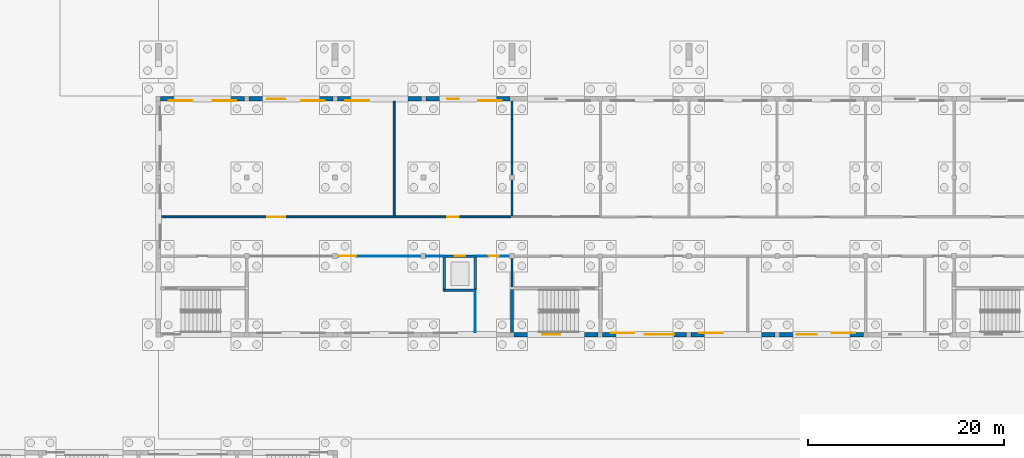
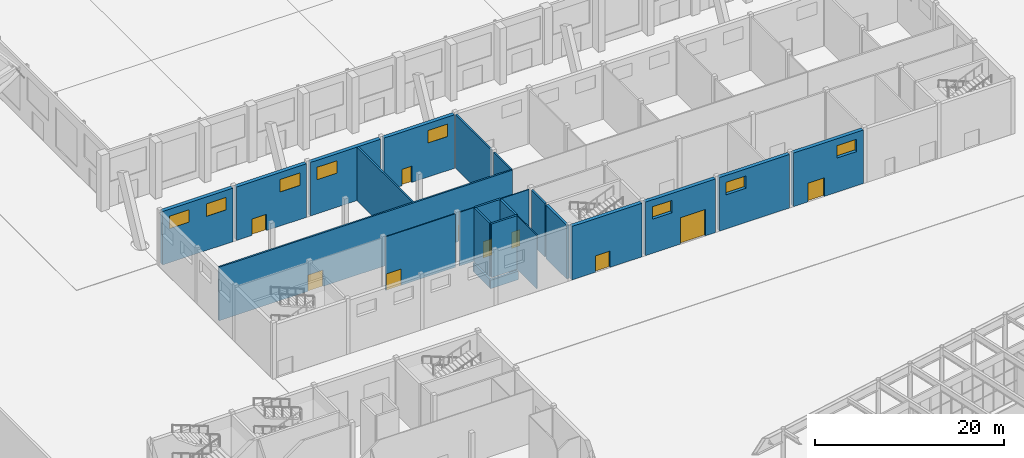
# One storey, part 169 of 239: 26 walls, 10 doors, 8 windows, 18 openings.
"""IFC4 building model written with IfcOpenShell, lengths in metres."""

from ifc_helpers import new_model, si_unit, direction, frame, frame_2d, origin, place, context, subcontext, project, spatial, rectangle, extrude, material, layer, layer_set, type_object, element, fill, save


model = new_model("IFC4")

# Units and contexts
model_context = context("Model", 3, precision=1e-05, world=origin(), true_north=direction((0.0, 1.0)))
body_context = subcontext(model_context, "Body", "Model", "MODEL_VIEW")
ifc_project = project(units=[si_unit("LENGTHUNIT", "METRE"), si_unit("AREAUNIT", "SQUARE_METRE"), si_unit("VOLUMEUNIT", "CUBIC_METRE"), si_unit("PLANEANGLEUNIT", "RADIAN"), si_unit("MASSUNIT", "GRAM", prefix="KILO")], contexts=[model_context])

# Site, building, storey
site_placement = place(None, origin())
site = spatial("IfcSite", under=ifc_project, at=site_placement, CompositionType="ELEMENT")
building_placement = place(site_placement, origin())
building = spatial("IfcBuilding", under=site, at=building_placement, Name="Okhra Congress Centre", CompositionType="ELEMENT")
storey_placement = place(building_placement, origin())
storey = spatial("IfcBuildingStorey", under=building, at=storey_placement, Name="L00", CompositionType="ELEMENT", Elevation=0.0)

# Wall, openings, doors
ifc_material_1 = material(Name="Masonry blockwork (aerated concrete D500)", Category="masonry")
ifc_layer_1 = layer(ifc_material_1, 0.199951171875)
ifc_layer_set_1 = layer_set([ifc_layer_1], Name="Masonry block wall 200 EI 45")
wall_type_1 = type_object("IfcWallType", Name="Masonry block wall 200 EI 45", PredefinedType="SOLIDWALL", material=ifc_layer_set_1)
wall_1_placement = place(storey_placement, frame((28.22509765625, 108.0, 0.0), z_axis=(0.0, 0.0, 1.0), x_axis=(1.0, 0.0, 0.0)))
wall_1 = element("IfcWall", 1, at=wall_1_placement, inside=storey, type_object=wall_type_1, Name="SV.WALL.L00.28", PredefinedType="SOLIDWALL", context=body_context, shape_type="SweptSolid", body=[
    extrude(rectangle(XDim=35.77490234375, YDim=0.199951171875, at=frame_2d((17.887451171875, 0.0))), origin(), (0.0, 0.0, 1.0), 6.89990234375),
])
opening_1_placement = place(wall_1_placement, frame((10.875, 0.0, 0.0)))
opening_1 = element("IfcOpeningElement", 2, at=opening_1_placement, cuts=wall_1, Name="Opening L00-150", PredefinedType="OPENING", context=body_context, shape_type="SweptSolid", body=[
    extrude(rectangle(XDim=1.800048828125, YDim=2.10009765625, at=frame_2d((0.89990234375, 1.050048828125))), frame((0.0, 0.10986328125, 0.0), z_axis=(0.0, -1.0, 0.0), x_axis=(1.0, 0.0, 0.0)), (0.0, 0.0, 1.0), 0.219970703125),
])
opening_2_placement = place(wall_1_placement, frame((29.175048828125, 0.0, 0.0)))
opening_2 = element("IfcOpeningElement", 3, at=opening_2_placement, cuts=wall_1, Name="Opening L00-151", PredefinedType="OPENING", context=body_context, shape_type="SweptSolid", body=[
    extrude(rectangle(XDim=1.199951171875, YDim=2.10009765625, at=frame_2d((0.60009765625, 1.050048828125))), frame((0.0, 0.10986328125, 0.0), z_axis=(0.0, -1.0, 0.0), x_axis=(1.0, 0.0, 0.0)), (0.0, 0.0, 1.0), 0.219970703125),
])
ifc_material_2 = material(Name="Steel fire door leaf in steel frame, intumescent seals", Category="steel")
door_type_1 = type_object("IfcDoorType", Name="Steel fire door 1200x2100 EI 30", OperationType="NOTDEFINED", PredefinedType="DOOR", material=ifc_material_2)
door_1_placement = place(opening_2_placement, frame((1.199951171875, 0.0, 0.0), z_axis=(0.0, 0.0, 1.0), x_axis=(-1.0, 0.0, 0.0)))
door_1 = element("IfcDoor", 4, at=door_1_placement, inside=storey, type_object=door_type_1, Name="Door L00-151", OperationType="SINGLE_SWING_RIGHT", OverallHeight=2.10009765625, OverallWidth=1.199951171875, PredefinedType="DOOR", context=body_context, shape_type="SweptSolid", body=[
    extrude(rectangle(XDim=1.199951171875, YDim=2.10009765625, at=frame_2d((0.60009765625, 1.050048828125))), frame((0.0, 0.02490234375, 0.0), z_axis=(0.0, -1.0, 0.0), x_axis=(1.0, 0.0, 0.0)), (0.0, 0.0, 1.0), 0.050048828125),
])
fill(opening_2, door_1)
ifc_material_3 = material(Name="Steel fire door leaves in steel frame, intumescent seals", Category="steel")
door_type_2 = type_object("IfcDoorType", Name="Steel fire door pair 1800x2100 EI 30", OperationType="NOTDEFINED", PredefinedType="DOOR", material=ifc_material_3)
door_2_placement = place(opening_1_placement, frame((1.800048828125, 0.0, 0.0), z_axis=(0.0, 0.0, 1.0), x_axis=(-1.0, 0.0, 0.0)))
door_2 = element("IfcDoor", 5, at=door_2_placement, inside=storey, type_object=door_type_2, Name="Door L00-150", OperationType="DOUBLE_DOOR_SINGLE_SWING", OverallHeight=2.10009765625, OverallWidth=1.800048828125, PredefinedType="DOOR", context=body_context, shape_type="SweptSolid", body=[
    extrude(rectangle(XDim=1.800048828125, YDim=2.10009765625, at=frame_2d((0.89990234375, 1.050048828125))), frame((0.0, 0.02490234375, 0.0), z_axis=(0.0, -1.0, 0.0), x_axis=(1.0, 0.0, 0.0)), (0.0, 0.0, 1.0), 0.050048828125),
])
fill(opening_1, door_2)

# Walls
wall_2_placement = place(storey_placement, frame((52.0, 108.10009765625, 0.0), z_axis=(0.0, 0.0, 1.0), x_axis=(0.0, 1.0, 0.0)))
element("IfcWall", 6, at=wall_2_placement, inside=storey, type_object=wall_type_1, Name="SV.WALL.L00.47", PredefinedType="SOLIDWALL", context=body_context, shape_type="SweptSolid", body=[
    extrude(rectangle(XDim=11.6748046875, YDim=0.199951171875, at=frame_2d((5.83740234375, 0.0))), origin(), (0.0, 0.0, 1.0), 6.89990234375),
])
wall_3_placement = place(storey_placement, frame((64.0, 100.875, 0.0), z_axis=(0.0, 0.0, 1.0), x_axis=(0.0, 1.0, 0.0)))
element("IfcWall", 7, at=wall_3_placement, inside=storey, type_object=wall_type_1, Name="SV.WALL.L00.52", PredefinedType="SOLIDWALL", context=body_context, shape_type="SweptSolid", body=[
    extrude(rectangle(XDim=2.875, YDim=0.199951171875, at=frame_2d((1.4375, 0.0))), origin(), (0.0, 0.0, 1.0), 6.89990234375),
])
wall_4_placement = place(storey_placement, frame((64.0, 108.10009765625, 0.0), z_axis=(0.0, 0.0, 1.0), x_axis=(0.0, 1.0, 0.0)))
element("IfcWall", 8, at=wall_4_placement, inside=storey, type_object=wall_type_1, Name="SV.WALL.L00.53", PredefinedType="SOLIDWALL", context=body_context, shape_type="SweptSolid", body=[
    extrude(rectangle(XDim=3.64990234375, YDim=0.199951171875, at=frame_2d((1.824951171875, 0.0))), origin(), (0.0, 0.0, 1.0), 6.89990234375),
])
wall_5_placement = place(storey_placement, frame((64.0, 112.25, 0.0), z_axis=(0.0, 0.0, 1.0), x_axis=(0.0, 1.0, 0.0)))
element("IfcWall", 9, at=wall_5_placement, inside=storey, type_object=wall_type_1, Name="SV.WALL.L00.54", PredefinedType="SOLIDWALL", context=body_context, shape_type="SweptSolid", body=[
    extrude(rectangle(XDim=7.52490234375, YDim=0.199951171875, at=frame_2d((3.762451171875, 0.0))), origin(), (0.0, 0.0, 1.0), 6.89990234375),
])

# Wall, opening, door
ifc_material_4 = material(Name="Gypsum board on steel studs", Category="steel")
ifc_layer_2 = layer(ifc_material_4, 0.10009765625)
ifc_layer_set_2 = layer_set([ifc_layer_2], Name="Partition 100 EI 15")
wall_type_2 = type_object("IfcWallType", Name="Partition 100 EI 15", PredefinedType="PARTITIONING", material=ifc_layer_set_2)
wall_6_placement = place(storey_placement, frame((46.25, 104.0, 0.0), z_axis=(0.0, 0.0, 1.0), x_axis=(1.0, 0.0, 0.0)))
wall_6 = element("IfcWall", 10, at=wall_6_placement, inside=storey, type_object=wall_type_2, Name="SV.WALL.L00.17", PredefinedType="PARTITIONING", context=body_context, shape_type="SweptSolid", body=[
    extrude(rectangle(XDim=8.5, YDim=0.10009765625, at=frame_2d((4.25, 0.0))), origin(), (0.0, 0.0, 1.0), 6.89990234375),
])
opening_3_placement = place(wall_6_placement, frame((0.112548828125, 0.0, 0.0)))
opening_3 = element("IfcOpeningElement", 11, at=opening_3_placement, cuts=wall_6, Name="Opening L00-144", PredefinedType="OPENING", context=body_context, shape_type="SweptSolid", body=[
    extrude(rectangle(XDim=1.800048828125, YDim=2.10009765625, at=frame_2d((0.89990234375, 1.050048828125))), frame((0.0, 0.06005859375, 0.0), z_axis=(0.0, -1.0, 0.0), x_axis=(1.0, 0.0, 0.0)), (0.0, 0.0, 1.0), 0.1201171875),
])
ifc_material_5 = material(Name="Timber door leaves in steel frame", Category="steel")
door_type_3 = type_object("IfcDoorType", Name="Double swing door 1800x2100", OperationType="NOTDEFINED", PredefinedType="DOOR", material=ifc_material_5)
door_3_placement = place(opening_3_placement, origin())
door_3 = element("IfcDoor", 12, at=door_3_placement, inside=storey, type_object=door_type_3, Name="Door L00-144", OperationType="DOUBLE_DOOR_SINGLE_SWING", OverallHeight=2.10009765625, OverallWidth=1.800048828125, PredefinedType="DOOR", context=body_context, shape_type="SweptSolid", body=[
    extrude(rectangle(XDim=1.800048828125, YDim=2.10009765625, at=frame_2d((0.89990234375, 1.050048828125))), frame((0.0, 0.02490234375, 0.0), z_axis=(0.0, -1.0, 0.0), x_axis=(1.0, 0.0, 0.0)), (0.0, 0.0, 1.0), 0.050048828125),
])
fill(opening_3, door_3)

# Wall
wall_7_placement = place(storey_placement, frame((55.25, 104.0, 0.0), z_axis=(0.0, 0.0, 1.0), x_axis=(1.0, 0.0, 0.0)))
element("IfcWall", 13, at=wall_7_placement, inside=storey, type_object=wall_type_2, Name="SV.WALL.L00.18", PredefinedType="PARTITIONING", context=body_context, shape_type="SweptSolid", body=[
    extrude(rectangle(XDim=1.875, YDim=0.10009765625, at=frame_2d((0.9375, 0.0))), origin(), (0.0, 0.0, 1.0), 6.89990234375),
])

# Wall, opening, door
wall_8_placement = place(storey_placement, frame((60.27490234375, 104.0, 0.0), z_axis=(0.0, 0.0, 1.0), x_axis=(1.0, 0.0, 0.0)))
wall_8 = element("IfcWall", 14, at=wall_8_placement, inside=storey, type_object=wall_type_2, Name="SV.WALL.L00.20", PredefinedType="PARTITIONING", context=body_context, shape_type="SweptSolid", body=[
    extrude(rectangle(XDim=3.47509765625, YDim=0.10009765625, at=frame_2d((1.737548828125, 0.0))), origin(), (0.0, 0.0, 1.0), 6.89990234375),
])
opening_4_placement = place(wall_8_placement, frame((1.362548828125, 0.0, 0.0)))
opening_4 = element("IfcOpeningElement", 15, at=opening_4_placement, cuts=wall_8, Name="Opening L00-145", PredefinedType="OPENING", context=body_context, shape_type="SweptSolid", body=[
    extrude(rectangle(XDim=1.0, YDim=2.10009765625, at=frame_2d((0.5, 1.050048828125))), frame((0.0, 0.06005859375, 0.0), z_axis=(0.0, -1.0, 0.0), x_axis=(1.0, 0.0, 0.0)), (0.0, 0.0, 1.0), 0.1201171875),
])
ifc_material_6 = material(Name="Timber door leaf in steel frame", Category="steel")
door_type_4 = type_object("IfcDoorType", Name="Single swing door 1000x2100", OperationType="NOTDEFINED", PredefinedType="DOOR", material=ifc_material_6)
door_4_placement = place(opening_4_placement, origin())
door_4 = element("IfcDoor", 16, at=door_4_placement, inside=storey, type_object=door_type_4, Name="Door L00-145", OperationType="SINGLE_SWING_LEFT", OverallHeight=2.10009765625, OverallWidth=1.0, PredefinedType="DOOR", context=body_context, shape_type="SweptSolid", body=[
    extrude(rectangle(XDim=1.0, YDim=2.10009765625, at=frame_2d((0.5, 1.050048828125))), frame((0.0, 0.02490234375, 0.0), z_axis=(0.0, -1.0, 0.0), x_axis=(1.0, 0.0, 0.0)), (0.0, 0.0, 1.0), 0.050048828125),
])
fill(opening_4, door_4)

# Walls
wall_9_placement = place(storey_placement, frame((60.27490234375, 96.22509765625, 0.0), z_axis=(0.0, 0.0, 1.0), x_axis=(0.0, 1.0, 0.0)))
element("IfcWall", 17, at=wall_9_placement, inside=storey, type_object=wall_type_2, Name="SV.WALL.L00.49", PredefinedType="PARTITIONING", context=body_context, shape_type="SweptSolid", body=[
    extrude(rectangle(XDim=4.1748046875, YDim=0.10009765625, at=frame_2d((2.08740234375, 0.0))), origin(), (0.0, 0.0, 1.0), 6.89990234375),
])
ifc_material_7 = material(Name="Concrete C35/45", Category="concrete")
ifc_layer_3 = layer(ifc_material_7, 0.300048828125)
ifc_layer_set_3 = layer_set([ifc_layer_3], Name="RC core wall 300 REI 120 C35/45")
wall_type_3 = type_object("IfcWallType", Name="RC core wall 300 REI 120 C35/45", PredefinedType="SHEAR", material=ifc_layer_set_3)
wall_10_placement = place(storey_placement, frame((64.0, 96.22509765625, 0.0), z_axis=(0.0, 0.0, 1.0), x_axis=(0.0, 1.0, 0.0)))
element("IfcWall", 18, at=wall_10_placement, inside=storey, type_object=wall_type_3, Name="SV.WALL.L00.51", PredefinedType="SHEAR", context=body_context, shape_type="SweptSolid", body=[
    extrude(rectangle(XDim=4.349853515625, YDim=0.300048828125, at=frame_2d((2.1748046875, 0.0))), origin(), (0.0, 0.0, 1.0), 6.89990234375),
])

# Wall, opening, door
ifc_material_8 = material(Name="Concrete C30/37", Category="concrete")
ifc_layer_4 = layer(ifc_material_8, 0.449951171875)
ifc_layer_set_4 = layer_set([ifc_layer_4], Name="RC facade wall 450 REI 120 C30/37")
wall_type_4 = type_object("IfcWallType", Name="RC facade wall 450 REI 120 C30/37", PredefinedType="SOLIDWALL", material=ifc_layer_set_4)
wall_11_placement = place(storey_placement, frame((64.22509765625, 96.0, 0.0), z_axis=(0.0, 0.0, 1.0), x_axis=(1.0, 0.0, 0.0)))
wall_11 = element("IfcWall", 19, at=wall_11_placement, inside=storey, type_object=wall_type_4, Name="SV.WALL.L00.5", PredefinedType="SOLIDWALL", context=body_context, shape_type="SweptSolid", body=[
    extrude(rectangle(XDim=8.5498046875, YDim=0.449951171875, at=frame_2d((4.27490234375, 0.0))), origin(), (0.0, 0.0, 1.0), 6.89990234375),
])
opening_5_placement = place(wall_11_placement, frame((2.875, 0.0, 0.0)))
opening_5 = element("IfcOpeningElement", 20, at=opening_5_placement, cuts=wall_11, Name="Opening L00-142", PredefinedType="OPENING", context=body_context, shape_type="SweptSolid", body=[
    extrude(rectangle(XDim=1.800048828125, YDim=2.10009765625, at=frame_2d((0.89990234375, 1.050048828125))), frame((0.0, 0.23486328125, 0.0), z_axis=(0.0, -1.0, 0.0), x_axis=(1.0, 0.0, 0.0)), (0.0, 0.0, 1.0), 0.469970703125),
])
door_5_placement = place(opening_5_placement, frame((1.800048828125, 0.0, 0.0), z_axis=(0.0, 0.0, 1.0), x_axis=(-1.0, 0.0, 0.0)))
door_5 = element("IfcDoor", 21, at=door_5_placement, inside=storey, type_object=door_type_2, Name="Door L00-142", OperationType="DOUBLE_DOOR_SINGLE_SWING", OverallHeight=2.10009765625, OverallWidth=1.800048828125, PredefinedType="DOOR", context=body_context, shape_type="SweptSolid", body=[
    extrude(rectangle(XDim=1.800048828125, YDim=2.10009765625, at=frame_2d((0.89990234375, 1.050048828125))), frame((0.0, 0.02490234375, 0.0), z_axis=(0.0, -1.0, 0.0), x_axis=(1.0, 0.0, 0.0)), (0.0, 0.0, 1.0), 0.050048828125),
])
fill(opening_5, door_5)

# Wall
ifc_layer_5 = layer(ifc_material_8, 0.25)
ifc_layer_set_5 = layer_set([ifc_layer_5], Name="RC wall 250 REI 120 C30/37")
wall_type_5 = type_object("IfcWallType", Name="RC wall 250 REI 120 C30/37", PredefinedType="SOLIDWALL", material=ifc_layer_set_5)
wall_12_placement = place(storey_placement, frame((57.125, 100.52490234375, 0.0), z_axis=(0.0, 0.0, 1.0), x_axis=(1.0, 0.0, 0.0)))
element("IfcWall", 22, at=wall_12_placement, inside=storey, type_object=wall_type_5, Name="SV.WALL.L00.11", PredefinedType="SOLIDWALL", context=body_context, shape_type="SweptSolid", body=[
    extrude(rectangle(XDim=3.14990234375, YDim=0.25, at=frame_2d((1.574951171875, 0.0))), origin(), (0.0, 0.0, 1.0), 6.89990234375),
])

# Wall, opening, door
wall_13_placement = place(storey_placement, frame((57.125, 104.0, 0.0), z_axis=(0.0, 0.0, 1.0), x_axis=(1.0, 0.0, 0.0)))
wall_13 = element("IfcWall", 23, at=wall_13_placement, inside=storey, type_object=wall_type_5, Name="SV.WALL.L00.19", PredefinedType="SOLIDWALL", context=body_context, shape_type="SweptSolid", body=[
    extrude(rectangle(XDim=3.14990234375, YDim=0.25, at=frame_2d((1.574951171875, 0.0))), origin(), (0.0, 0.0, 1.0), 6.89990234375),
])
opening_6_placement = place(wall_13_placement, frame((1.02490234375, 0.0, 0.0)))
opening_6 = element("IfcOpeningElement", 24, at=opening_6_placement, cuts=wall_13, Name="Opening L00-167", PredefinedType="OPENING", context=body_context, shape_type="SweptSolid", body=[
    extrude(rectangle(XDim=1.10009765625, YDim=2.10009765625, at=frame_2d((0.550048828125, 1.050048828125))), frame((0.0, 0.135009765625, 0.0), z_axis=(0.0, -1.0, 0.0), x_axis=(1.0, 0.0, 0.0)), (0.0, 0.0, 1.0), 0.27001953125),
])
ifc_material_9 = material(Name="Stainless steel sliding landing door leaves", Category="steel")
door_type_5 = type_object("IfcDoorType", Name="Lift landing door 1100x2100 EI 30", OperationType="DOUBLE_DOOR_SLIDING", PredefinedType="DOOR", material=ifc_material_9)
door_6_placement = place(opening_6_placement, origin())
door_6 = element("IfcDoor", 25, at=door_6_placement, inside=storey, type_object=door_type_5, Name="Door L00-167", OperationType="DOUBLE_DOOR_SLIDING", OverallHeight=2.10009765625, OverallWidth=1.10009765625, PredefinedType="DOOR", context=body_context, shape_type="SweptSolid", body=[
    extrude(rectangle(XDim=1.10009765625, YDim=2.10009765625, at=frame_2d((0.550048828125, 1.050048828125))), frame((0.0, 0.02490234375, 0.0), z_axis=(0.0, -1.0, 0.0), x_axis=(1.0, 0.0, 0.0)), (0.0, 0.0, 1.0), 0.050048828125),
])
fill(opening_6, door_6)

# Walls
for number, where, z_axis, x_axis, name in (
    (26, (57.125, 100.64990234375, 0.0), (0.0, 0.0, 1.0), (0.0, 1.0, 0.0), "SV.WALL.L00.48"),
    (27, (60.27490234375, 100.64990234375, 0.0), (0.0, 0.0, 1.0), (0.0, 1.0, 0.0), "SV.WALL.L00.50"),
):
    element("IfcWall", number, at=place(storey_placement, frame(where, z_axis=z_axis, x_axis=x_axis)), inside=storey, type_object=wall_type_5, Name=name, PredefinedType="SOLIDWALL", context=body_context, shape_type="SweptSolid", body=[
        extrude(rectangle(XDim=3.22509765625, YDim=0.25, at=frame_2d((1.612548828125, 0.0))), origin(), (0.0, 0.0, 1.0), 6.89990234375),
    ])
for number, where, z_axis, x_axis, name in (
    (28, (57.0, 100.52490234375, -1.39990234375), (0.0, 0.0, 1.0), (1.0, 0.0, 0.0), "Lift pit wall"),
    (29, (57.0, 104.0, -1.39990234375), (0.0, 0.0, 1.0), (1.0, 0.0, 0.0), "Lift pit wall"),
):
    element("IfcWall", number, at=place(storey_placement, frame(where, z_axis=z_axis, x_axis=x_axis)), inside=storey, type_object=wall_type_5, Name=name, PredefinedType="SOLIDWALL", context=body_context, shape_type="SweptSolid", body=[
        extrude(rectangle(XDim=3.39990234375, YDim=0.25, at=frame_2d((1.699951171875, 0.0))), origin(), (0.0, 0.0, 1.0), 1.099853515625),
    ])
for number, where, z_axis, x_axis, name in (
    (30, (57.125, 100.64990234375, -1.39990234375), (0.0, 0.0, 1.0), (0.0, 1.0, 0.0), "Lift pit wall"),
    (31, (60.27490234375, 100.64990234375, -1.39990234375), (0.0, 0.0, 1.0), (0.0, 1.0, 0.0), "Lift pit wall"),
):
    element("IfcWall", number, at=place(storey_placement, frame(where, z_axis=z_axis, x_axis=x_axis)), inside=storey, type_object=wall_type_5, Name=name, PredefinedType="SOLIDWALL", context=body_context, shape_type="SweptSolid", body=[
        extrude(rectangle(XDim=3.22509765625, YDim=0.25, at=frame_2d((1.612548828125, 0.0))), origin(), (0.0, 0.0, 1.0), 1.099853515625),
    ])

# Wall, openings, window, door
ifc_material_10 = material(Name="Render on mineral wool insulation over masonry backing", Category="masonry")
ifc_layer_6 = layer(ifc_material_10, 0.449951171875)
ifc_layer_set_6 = layer_set([ifc_layer_6], Name="Rendered insulated wall 450 EI 45")
wall_type_6 = type_object("IfcWallType", Name="Rendered insulated wall 450 EI 45", PredefinedType="SOLIDWALL", material=ifc_layer_set_6)
wall_14_placement = place(storey_placement, frame((73.22509765625, 96.0, 0.0), z_axis=(0.0, 0.0, 1.0), x_axis=(1.0, 0.0, 0.0)))
wall_14 = element("IfcWall", 32, at=wall_14_placement, inside=storey, type_object=wall_type_6, Name="SV.WALL.L00.6", PredefinedType="SOLIDWALL", context=body_context, shape_type="SweptSolid", body=[
    extrude(rectangle(XDim=8.5498046875, YDim=0.449951171875, at=frame_2d((4.27490234375, 0.0))), origin(), (0.0, 0.0, 1.0), 6.89990234375),
])
opening_7_placement = place(wall_14_placement, frame((4.27490234375, 0.0, 0.0)))
opening_7 = element("IfcOpeningElement", 33, at=opening_7_placement, cuts=wall_14, Name="Opening L00-158", PredefinedType="OPENING", context=body_context, shape_type="SweptSolid", body=[
    extrude(rectangle(XDim=3.0, YDim=3.39990234375, at=frame_2d((1.5, 1.699951171875))), frame((0.0, 0.23486328125, 0.0), z_axis=(0.0, -1.0, 0.0), x_axis=(1.0, 0.0, 0.0)), (0.0, 0.0, 1.0), 0.469970703125),
])
opening_8_placement = place(wall_14_placement, frame((0.824951171875, 0.0, 4.39990234375)))
opening_8 = element("IfcOpeningElement", 34, at=opening_8_placement, cuts=wall_14, Name="Opening WN14", PredefinedType="OPENING", context=body_context, shape_type="SweptSolid", body=[
    extrude(rectangle(XDim=2.39990234375, YDim=1.60009765625, at=frame_2d((1.199951171875, 0.800048828125))), frame((0.0, 0.23486328125, 0.0), z_axis=(0.0, -1.0, 0.0), x_axis=(1.0, 0.0, 0.0)), (0.0, 0.0, 1.0), 0.469970703125),
])
ifc_material_11 = material(Name="Thermally broken aluminium frame, triple glazing", Category="aluminium")
window_type = type_object("IfcWindowType", Name="Fixed window 2400x1600", PartitioningType="SINGLE_PANEL", PredefinedType="WINDOW", material=ifc_material_11)
window_1_placement = place(opening_8_placement, origin())
window_1 = element("IfcWindow", 35, at=window_1_placement, inside=storey, type_object=window_type, Name="SV.WIN.L00.6", OverallHeight=1.60009765625, OverallWidth=2.39990234375, PartitioningType="SINGLE_PANEL", PredefinedType="WINDOW", context=body_context, shape_type="SweptSolid", body=[
    extrude(rectangle(XDim=2.39990234375, YDim=1.60009765625, at=frame_2d((1.199951171875, 0.800048828125))), frame((0.0, 0.215087890625, 0.0), z_axis=(0.0, -1.0, 0.0), x_axis=(1.0, 0.0, 0.0)), (0.0, 0.0, 1.0), 0.06005859375),
])
fill(opening_8, window_1)
ifc_material_12 = material(Name="Insulated steel slat roller shutter", Category="steel")
door_type_6 = type_object("IfcDoorType", Name="Roller shutter door 3000x3400", OperationType="ROLLINGUP", PredefinedType="DOOR", material=ifc_material_12)
door_7_placement = place(opening_7_placement, frame((3.0, 0.0, 0.0), z_axis=(0.0, 0.0, 1.0), x_axis=(-1.0, 0.0, 0.0)))
door_7 = element("IfcDoor", 36, at=door_7_placement, inside=storey, type_object=door_type_6, Name="Door L00-158", OperationType="ROLLINGUP", OverallHeight=3.39990234375, OverallWidth=3.0, PredefinedType="DOOR", context=body_context, shape_type="SweptSolid", body=[
    extrude(rectangle(XDim=3.0, YDim=3.39990234375, at=frame_2d((1.5, 1.699951171875))), frame((0.0, 0.02490234375, 0.0), z_axis=(0.0, -1.0, 0.0), x_axis=(1.0, 0.0, 0.0)), (0.0, 0.0, 1.0), 0.050048828125),
])
fill(opening_7, door_7)

# Wall, opening, window
wall_15_placement = place(storey_placement, frame((82.22509765625, 96.0, 0.0), z_axis=(0.0, 0.0, 1.0), x_axis=(1.0, 0.0, 0.0)))
wall_15 = element("IfcWall", 37, at=wall_15_placement, inside=storey, type_object=wall_type_6, Name="SV.WALL.L00.7", PredefinedType="SOLIDWALL", context=body_context, shape_type="SweptSolid", body=[
    extrude(rectangle(XDim=8.5498046875, YDim=0.449951171875, at=frame_2d((4.27490234375, 0.0))), origin(), (0.0, 0.0, 1.0), 6.89990234375),
])
opening_9_placement = place(wall_15_placement, frame((0.824951171875, 0.0, 4.39990234375)))
opening_9 = element("IfcOpeningElement", 38, at=opening_9_placement, cuts=wall_15, Name="Opening WN14", PredefinedType="OPENING", context=body_context, shape_type="SweptSolid", body=[
    extrude(rectangle(XDim=2.39990234375, YDim=1.60009765625, at=frame_2d((1.199951171875, 0.800048828125))), frame((0.0, 0.23486328125, 0.0), z_axis=(0.0, -1.0, 0.0), x_axis=(1.0, 0.0, 0.0)), (0.0, 0.0, 1.0), 0.469970703125),
])
window_2_placement = place(opening_9_placement, origin())
window_2 = element("IfcWindow", 39, at=window_2_placement, inside=storey, type_object=window_type, Name="SV.WIN.L00.7", OverallHeight=1.60009765625, OverallWidth=2.39990234375, PartitioningType="SINGLE_PANEL", PredefinedType="WINDOW", context=body_context, shape_type="SweptSolid", body=[
    extrude(rectangle(XDim=2.39990234375, YDim=1.60009765625, at=frame_2d((1.199951171875, 0.800048828125))), frame((0.0, 0.215087890625, 0.0), z_axis=(0.0, -1.0, 0.0), x_axis=(1.0, 0.0, 0.0)), (0.0, 0.0, 1.0), 0.06005859375),
])
fill(opening_9, window_2)

# Wall, openings, window, door
wall_16_placement = place(storey_placement, frame((91.22509765625, 96.0, 0.0), z_axis=(0.0, 0.0, 1.0), x_axis=(1.0, 0.0, 0.0)))
wall_16 = element("IfcWall", 40, at=wall_16_placement, inside=storey, type_object=wall_type_6, Name="SV.WALL.L00.8", PredefinedType="SOLIDWALL", context=body_context, shape_type="SweptSolid", body=[
    extrude(rectangle(XDim=8.5498046875, YDim=0.449951171875, at=frame_2d((4.27490234375, 0.0))), origin(), (0.0, 0.0, 1.0), 6.89990234375),
])
opening_10_placement = place(wall_16_placement, frame((1.77490234375, 0.0, 0.0)))
opening_10 = element("IfcOpeningElement", 41, at=opening_10_placement, cuts=wall_16, Name="Opening L00-159", PredefinedType="OPENING", context=body_context, shape_type="SweptSolid", body=[
    extrude(rectangle(XDim=2.0, YDim=2.39990234375, at=frame_2d((1.0, 1.199951171875))), frame((0.0, 0.23486328125, 0.0), z_axis=(0.0, -1.0, 0.0), x_axis=(1.0, 0.0, 0.0)), (0.0, 0.0, 1.0), 0.469970703125),
])
opening_11_placement = place(wall_16_placement, frame((5.324951171875, 0.0, 4.39990234375)))
opening_11 = element("IfcOpeningElement", 42, at=opening_11_placement, cuts=wall_16, Name="Opening WN14", PredefinedType="OPENING", context=body_context, shape_type="SweptSolid", body=[
    extrude(rectangle(XDim=2.39990234375, YDim=1.60009765625, at=frame_2d((1.199951171875, 0.800048828125))), frame((0.0, 0.23486328125, 0.0), z_axis=(0.0, -1.0, 0.0), x_axis=(1.0, 0.0, 0.0)), (0.0, 0.0, 1.0), 0.469970703125),
])
window_3_placement = place(opening_11_placement, origin())
window_3 = element("IfcWindow", 43, at=window_3_placement, inside=storey, type_object=window_type, Name="SV.WIN.L00.8", OverallHeight=1.60009765625, OverallWidth=2.39990234375, PartitioningType="SINGLE_PANEL", PredefinedType="WINDOW", context=body_context, shape_type="SweptSolid", body=[
    extrude(rectangle(XDim=2.39990234375, YDim=1.60009765625, at=frame_2d((1.199951171875, 0.800048828125))), frame((0.0, 0.215087890625, 0.0), z_axis=(0.0, -1.0, 0.0), x_axis=(1.0, 0.0, 0.0)), (0.0, 0.0, 1.0), 0.06005859375),
])
fill(opening_11, window_3)
door_type_7 = type_object("IfcDoorType", Name="Steel fire door pair 2000x2400 EI 30", OperationType="NOTDEFINED", PredefinedType="DOOR", material=ifc_material_3)
door_8_placement = place(opening_10_placement, frame((2.0, 0.0, 0.0), z_axis=(0.0, 0.0, 1.0), x_axis=(-1.0, 0.0, 0.0)))
door_8 = element("IfcDoor", 44, at=door_8_placement, inside=storey, type_object=door_type_7, Name="Door L00-159", OperationType="DOUBLE_DOOR_SINGLE_SWING", OverallHeight=2.39990234375, OverallWidth=2.0, PredefinedType="DOOR", context=body_context, shape_type="SweptSolid", body=[
    extrude(rectangle(XDim=2.0, YDim=2.39990234375, at=frame_2d((1.0, 1.199951171875))), frame((0.0, 0.02490234375, 0.0), z_axis=(0.0, -1.0, 0.0), x_axis=(1.0, 0.0, 0.0)), (0.0, 0.0, 1.0), 0.050048828125),
])
fill(opening_10, door_8)

# Wall, openings, windows
wall_17_placement = place(storey_placement, frame((36.77490234375, 120.0, 0.0), z_axis=(0.0, 0.0, 1.0), x_axis=(-1.0, 0.0, 0.0)))
wall_17 = element("IfcWall", 45, at=wall_17_placement, inside=storey, type_object=wall_type_6, Name="SV.WALL.L00.32", PredefinedType="SOLIDWALL", context=body_context, shape_type="SweptSolid", body=[
    extrude(rectangle(XDim=8.5498046875, YDim=0.449951171875, at=frame_2d((4.27490234375, 0.0))), origin(), (0.0, 0.0, 1.0), 6.89990234375),
])
opening_12_placement = place(wall_17_placement, frame((5.324951171875, 0.0, 4.39990234375)))
opening_12 = element("IfcOpeningElement", 46, at=opening_12_placement, cuts=wall_17, Name="Opening WN14", PredefinedType="OPENING", context=body_context, shape_type="SweptSolid", body=[
    extrude(rectangle(XDim=2.39990234375, YDim=1.60009765625, at=frame_2d((1.199951171875, 0.800048828125))), frame((0.0, 0.23486328125, 0.0), z_axis=(0.0, -1.0, 0.0), x_axis=(1.0, 0.0, 0.0)), (0.0, 0.0, 1.0), 0.469970703125),
])
opening_13_placement = place(wall_17_placement, frame((0.824951171875, 0.0, 4.39990234375)))
opening_13 = element("IfcOpeningElement", 47, at=opening_13_placement, cuts=wall_17, Name="Opening WN14", PredefinedType="OPENING", context=body_context, shape_type="SweptSolid", body=[
    extrude(rectangle(XDim=2.39990234375, YDim=1.60009765625, at=frame_2d((1.199951171875, 0.800048828125))), frame((0.0, 0.23486328125, 0.0), z_axis=(0.0, -1.0, 0.0), x_axis=(1.0, 0.0, 0.0)), (0.0, 0.0, 1.0), 0.469970703125),
])
window_4_placement = place(opening_12_placement, origin())
window_4 = element("IfcWindow", 48, at=window_4_placement, inside=storey, type_object=window_type, Name="SV.WIN.L00.9", OverallHeight=1.60009765625, OverallWidth=2.39990234375, PartitioningType="SINGLE_PANEL", PredefinedType="WINDOW", context=body_context, shape_type="SweptSolid", body=[
    extrude(rectangle(XDim=2.39990234375, YDim=1.60009765625, at=frame_2d((1.199951171875, 0.800048828125))), frame((0.0, 0.215087890625, 0.0), z_axis=(0.0, -1.0, 0.0), x_axis=(1.0, 0.0, 0.0)), (0.0, 0.0, 1.0), 0.06005859375),
])
fill(opening_12, window_4)
window_5_placement = place(opening_13_placement, origin())
window_5 = element("IfcWindow", 49, at=window_5_placement, inside=storey, type_object=window_type, Name="SV.WIN.L00.10", OverallHeight=1.60009765625, OverallWidth=2.39990234375, PartitioningType="SINGLE_PANEL", PredefinedType="WINDOW", context=body_context, shape_type="SweptSolid", body=[
    extrude(rectangle(XDim=2.39990234375, YDim=1.60009765625, at=frame_2d((1.199951171875, 0.800048828125))), frame((0.0, 0.215087890625, 0.0), z_axis=(0.0, -1.0, 0.0), x_axis=(1.0, 0.0, 0.0)), (0.0, 0.0, 1.0), 0.06005859375),
])
fill(opening_13, window_5)

# Wall, openings, window, door
wall_18_placement = place(storey_placement, frame((45.77490234375, 120.0, 0.0), z_axis=(0.0, 0.0, 1.0), x_axis=(-1.0, 0.0, 0.0)))
wall_18 = element("IfcWall", 50, at=wall_18_placement, inside=storey, type_object=wall_type_6, Name="SV.WALL.L00.33", PredefinedType="SOLIDWALL", context=body_context, shape_type="SweptSolid", body=[
    extrude(rectangle(XDim=8.5498046875, YDim=0.449951171875, at=frame_2d((4.27490234375, 0.0))), origin(), (0.0, 0.0, 1.0), 6.89990234375),
])
opening_14_placement = place(wall_18_placement, frame((4.875, 0.0, 0.0)))
opening_14 = element("IfcOpeningElement", 51, at=opening_14_placement, cuts=wall_18, Name="Opening L00-162", PredefinedType="OPENING", context=body_context, shape_type="SweptSolid", body=[
    extrude(rectangle(XDim=1.800048828125, YDim=2.10009765625, at=frame_2d((0.89990234375, 1.050048828125))), frame((0.0, 0.23486328125, 0.0), z_axis=(0.0, -1.0, 0.0), x_axis=(1.0, 0.0, 0.0)), (0.0, 0.0, 1.0), 0.469970703125),
])
opening_15_placement = place(wall_18_placement, frame((0.824951171875, 0.0, 4.39990234375)))
opening_15 = element("IfcOpeningElement", 52, at=opening_15_placement, cuts=wall_18, Name="Opening WN14", PredefinedType="OPENING", context=body_context, shape_type="SweptSolid", body=[
    extrude(rectangle(XDim=2.39990234375, YDim=1.60009765625, at=frame_2d((1.199951171875, 0.800048828125))), frame((0.0, 0.23486328125, 0.0), z_axis=(0.0, -1.0, 0.0), x_axis=(1.0, 0.0, 0.0)), (0.0, 0.0, 1.0), 0.469970703125),
])
window_6_placement = place(opening_15_placement, origin())
window_6 = element("IfcWindow", 53, at=window_6_placement, inside=storey, type_object=window_type, Name="SV.WIN.L00.11", OverallHeight=1.60009765625, OverallWidth=2.39990234375, PartitioningType="SINGLE_PANEL", PredefinedType="WINDOW", context=body_context, shape_type="SweptSolid", body=[
    extrude(rectangle(XDim=2.39990234375, YDim=1.60009765625, at=frame_2d((1.199951171875, 0.800048828125))), frame((0.0, 0.215087890625, 0.0), z_axis=(0.0, -1.0, 0.0), x_axis=(1.0, 0.0, 0.0)), (0.0, 0.0, 1.0), 0.06005859375),
])
fill(opening_15, window_6)
door_9_placement = place(opening_14_placement, frame((1.800048828125, 0.0, 0.0), z_axis=(0.0, 0.0, 1.0), x_axis=(-1.0, 0.0, 0.0)))
door_9 = element("IfcDoor", 54, at=door_9_placement, inside=storey, type_object=door_type_2, Name="Door L00-162", OperationType="DOUBLE_DOOR_SINGLE_SWING", OverallHeight=2.10009765625, OverallWidth=1.800048828125, PredefinedType="DOOR", context=body_context, shape_type="SweptSolid", body=[
    extrude(rectangle(XDim=1.800048828125, YDim=2.10009765625, at=frame_2d((0.89990234375, 1.050048828125))), frame((0.0, 0.02490234375, 0.0), z_axis=(0.0, -1.0, 0.0), x_axis=(1.0, 0.0, 0.0)), (0.0, 0.0, 1.0), 0.050048828125),
])
fill(opening_14, door_9)

# Wall, opening, window
wall_19_placement = place(storey_placement, frame((54.77490234375, 120.0, 0.0), z_axis=(0.0, 0.0, 1.0), x_axis=(-1.0, 0.0, 0.0)))
wall_19 = element("IfcWall", 55, at=wall_19_placement, inside=storey, type_object=wall_type_6, Name="SV.WALL.L00.34", PredefinedType="SOLIDWALL", context=body_context, shape_type="SweptSolid", body=[
    extrude(rectangle(XDim=8.5498046875, YDim=0.449951171875, at=frame_2d((4.27490234375, 0.0))), origin(), (0.0, 0.0, 1.0), 6.89990234375),
])
opening_16_placement = place(wall_19_placement, frame((5.324951171875, 0.0, 4.39990234375)))
opening_16 = element("IfcOpeningElement", 56, at=opening_16_placement, cuts=wall_19, Name="Opening WN14", PredefinedType="OPENING", context=body_context, shape_type="SweptSolid", body=[
    extrude(rectangle(XDim=2.39990234375, YDim=1.60009765625, at=frame_2d((1.199951171875, 0.800048828125))), frame((0.0, 0.23486328125, 0.0), z_axis=(0.0, -1.0, 0.0), x_axis=(1.0, 0.0, 0.0)), (0.0, 0.0, 1.0), 0.469970703125),
])
window_7_placement = place(opening_16_placement, origin())
window_7 = element("IfcWindow", 57, at=window_7_placement, inside=storey, type_object=window_type, Name="SV.WIN.L00.12", OverallHeight=1.60009765625, OverallWidth=2.39990234375, PartitioningType="SINGLE_PANEL", PredefinedType="WINDOW", context=body_context, shape_type="SweptSolid", body=[
    extrude(rectangle(XDim=2.39990234375, YDim=1.60009765625, at=frame_2d((1.199951171875, 0.800048828125))), frame((0.0, 0.215087890625, 0.0), z_axis=(0.0, -1.0, 0.0), x_axis=(1.0, 0.0, 0.0)), (0.0, 0.0, 1.0), 0.06005859375),
])
fill(opening_16, window_7)

# Wall, openings, window, door
wall_20_placement = place(storey_placement, frame((63.77490234375, 120.0, 0.0), z_axis=(0.0, 0.0, 1.0), x_axis=(-1.0, 0.0, 0.0)))
wall_20 = element("IfcWall", 58, at=wall_20_placement, inside=storey, type_object=wall_type_6, Name="SV.WALL.L00.35", PredefinedType="SOLIDWALL", context=body_context, shape_type="SweptSolid", body=[
    extrude(rectangle(XDim=8.5498046875, YDim=0.449951171875, at=frame_2d((4.27490234375, 0.0))), origin(), (0.0, 0.0, 1.0), 6.89990234375),
])
opening_17_placement = place(wall_20_placement, frame((5.175048828125, 0.0, 0.0)))
opening_17 = element("IfcOpeningElement", 59, at=opening_17_placement, cuts=wall_20, Name="Opening L00-163", PredefinedType="OPENING", context=body_context, shape_type="SweptSolid", body=[
    extrude(rectangle(XDim=1.199951171875, YDim=2.10009765625, at=frame_2d((0.60009765625, 1.050048828125))), frame((0.0, 0.23486328125, 0.0), z_axis=(0.0, -1.0, 0.0), x_axis=(1.0, 0.0, 0.0)), (0.0, 0.0, 1.0), 0.469970703125),
])
opening_18_placement = place(wall_20_placement, frame((0.824951171875, 0.0, 4.39990234375)))
opening_18 = element("IfcOpeningElement", 60, at=opening_18_placement, cuts=wall_20, Name="Opening WN14", PredefinedType="OPENING", context=body_context, shape_type="SweptSolid", body=[
    extrude(rectangle(XDim=2.39990234375, YDim=1.60009765625, at=frame_2d((1.199951171875, 0.800048828125))), frame((0.0, 0.23486328125, 0.0), z_axis=(0.0, -1.0, 0.0), x_axis=(1.0, 0.0, 0.0)), (0.0, 0.0, 1.0), 0.469970703125),
])
window_8_placement = place(opening_18_placement, origin())
window_8 = element("IfcWindow", 61, at=window_8_placement, inside=storey, type_object=window_type, Name="SV.WIN.L00.13", OverallHeight=1.60009765625, OverallWidth=2.39990234375, PartitioningType="SINGLE_PANEL", PredefinedType="WINDOW", context=body_context, shape_type="SweptSolid", body=[
    extrude(rectangle(XDim=2.39990234375, YDim=1.60009765625, at=frame_2d((1.199951171875, 0.800048828125))), frame((0.0, 0.215087890625, 0.0), z_axis=(0.0, -1.0, 0.0), x_axis=(1.0, 0.0, 0.0)), (0.0, 0.0, 1.0), 0.06005859375),
])
fill(opening_18, window_8)
door_10_placement = place(opening_17_placement, frame((1.199951171875, 0.0, 0.0), z_axis=(0.0, 0.0, 1.0), x_axis=(-1.0, 0.0, 0.0)))
door_10 = element("IfcDoor", 62, at=door_10_placement, inside=storey, type_object=door_type_1, Name="Door L00-163", OperationType="SINGLE_SWING_RIGHT", OverallHeight=2.10009765625, OverallWidth=1.199951171875, PredefinedType="DOOR", context=body_context, shape_type="SweptSolid", body=[
    extrude(rectangle(XDim=1.199951171875, YDim=2.10009765625, at=frame_2d((0.60009765625, 1.050048828125))), frame((0.0, 0.02490234375, 0.0), z_axis=(0.0, -1.0, 0.0), x_axis=(1.0, 0.0, 0.0)), (0.0, 0.0, 1.0), 0.050048828125),
])
fill(opening_17, door_10)

save(model, "model.ifc")
